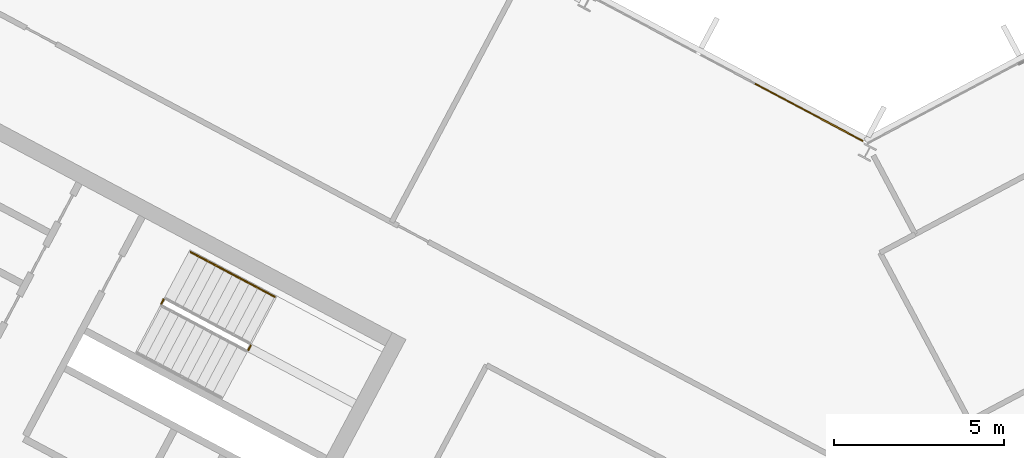
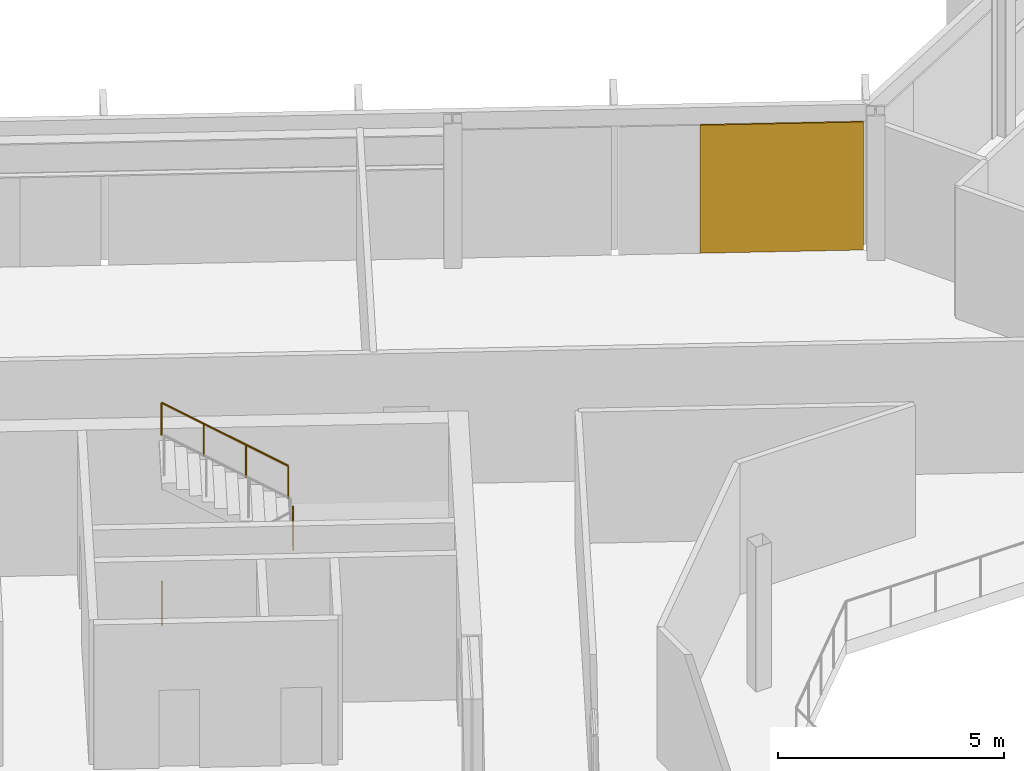
# One storey, part 23 of 26: 3 railings, 1 covering, 1 element without a shape of its own.
"""IFC4 building model written with IfcOpenShell, lengths in metres."""

from ifc_helpers import new_model, si_unit, direction, frame, origin, origin_2d, place, context, subcontext, project, spatial, polyline, rectangle, outline, extrude, material, layer, layer_set, type_object, element, aggregate, save


model = new_model("IFC4")

# Units and contexts
model_context = context("Model", 3, precision=1e-05, world=origin(), true_north=direction((0.0, 1.0)))
body_context = subcontext(model_context, "Body", "Model", "MODEL_VIEW")
ifc_project = project(units=[si_unit("LENGTHUNIT", "METRE"), si_unit("AREAUNIT", "SQUARE_METRE"), si_unit("VOLUMEUNIT", "CUBIC_METRE"), si_unit("PLANEANGLEUNIT", "RADIAN"), si_unit("MASSUNIT", "GRAM", prefix="KILO")], contexts=[model_context])

# Site, building, storey
site_placement = place(None, origin())
site = spatial("IfcSite", under=ifc_project, at=site_placement, CompositionType="ELEMENT")
building_placement = place(site_placement, origin())
building = spatial("IfcBuilding", under=site, at=building_placement, Name="Cormorant Relay Tower", CompositionType="ELEMENT")
storey_placement = place(building_placement, frame((0.0, 0.0, 304.800048828125)))
storey = spatial("IfcBuildingStorey", under=building, at=storey_placement, Name="L69", CompositionType="ELEMENT", Elevation=304.800048828125)

# Curtain wall, covering
ifc_material_1 = material(Name="Aluminium 6063-T6 anodised bronze", Category="aluminium")
ifc_layer_1 = layer(ifc_material_1, 0.199951171875)
ifc_layer_set_1 = layer_set([ifc_layer_1], Name="CW1 unitised bronze curtain wall with vertical fins")
curtain_wall_type = type_object("IfcCurtainWallType", Name="CW1 unitised bronze curtain wall with vertical fins", PredefinedType="NOTDEFINED", material=ifc_layer_set_1)
curtain_wall_placement = place(storey_placement, origin())
curtain_wall = element("IfcCurtainWall", 1, at=curtain_wall_placement, inside=storey, type_object=curtain_wall_type, Name="CW1 curtain wall 9", PredefinedType="NOTDEFINED")
ifc_material_2 = material(Name="Pale bronze anodised aluminium insulated panel", Category="aluminium")
ifc_layer_2 = layer(ifc_material_2, 0.0400390625)
ifc_layer_set_2 = layer_set([ifc_layer_2], Name="CW1 pale bronze insulated panel 40")
covering_type = type_object("IfcCoveringType", Name="CW1 pale bronze insulated panel 40", PredefinedType="CLADDING", material=ifc_layer_set_2)
covering_placement = place(storey_placement, frame((-1.718505859375, 24.720458984375, 0.0), z_axis=(0.0, 0.0, 1.0), x_axis=(-0.882947592859, 0.469471562786, 0.0)))
covering = element("IfcCovering", 2, at=covering_placement, type_object=covering_type, Name="CW1 panel S00", PredefinedType="CLADDING", context=body_context, shape_type="SweptSolid", body=[
    extrude(rectangle(XDim=3.614013671875, YDim=0.0400390625, at=origin_2d()), origin(), (0.0, 0.0, 1.0), 3.449951171875),
])
aggregate(curtain_wall, [covering])

# Railings
ifc_material_3 = material(Name="Steel ASTM A572 Grade 50 (Fy 345 MPa)", Category="steel")
railing_type_1 = type_object("IfcRailingType", Name="Stair guard 1100", PredefinedType="GUARDRAIL", material=ifc_material_3)
railing_1_placement = place(storey_placement, frame((-18.210693359375, 17.72412109375, 1.949951171875)))
element("IfcRailing", 3, at=railing_1_placement, inside=storey, type_object=railing_type_1, Name="L69 A1 stair guard 2", PredefinedType="GUARDRAIL", context=body_context, shape_type="SweptSolid", body=[
    extrude(outline(polyline([(0.022216796875, 0.00927734375), (0.00927734375, 0.022216796875), (-0.00927734375, 0.022216796875), (-0.022216796875, 0.00927734375), (-0.022216796875, -0.00927734375), (-0.00927734375, -0.022216796875), (0.00927734375, -0.022216796875), (0.022216796875, -0.00927734375), (0.022216796875, 0.00927734375)])), frame((0.0, 0.0, 1.076171875), z_axis=(0.470503732759, 0.882398003998, 0.0), x_axis=(-0.882398003998, 0.470503732759, 0.0)), (0.0, 0.0, 1.0), 0.14990234375),
    extrude(outline(polyline([(0.019287109375, 0.008056640625), (0.008056640625, 0.019287109375), (-0.008056640625, 0.019287109375), (-0.019287109375, 0.008056640625), (-0.019287109375, -0.008056640625), (-0.008056640625, -0.019287109375), (0.008056640625, -0.019287109375), (0.019287109375, -0.008056640625), (0.019287109375, 0.008056640625)])), origin(), (0.0, 0.0, 1.0), 1.052001953125),
    extrude(outline(polyline([(0.019287109375, 0.008056640625), (0.008056640625, 0.019287109375), (-0.008056640625, 0.019287109375), (-0.019287109375, 0.008056640625), (-0.019287109375, -0.008056640625), (-0.008056640625, -0.019287109375), (0.008056640625, -0.019287109375), (0.019287109375, -0.008056640625), (0.019287109375, 0.008056640625)])), frame((0.070556640625, 0.13232421875, 0.0)), (0.0, 0.0, 1.0), 1.052001953125),
])
railing_2_placement = place(storey_placement, frame((-20.771240234375, 19.08544921875, 0.0)))
element("IfcRailing", 4, at=railing_2_placement, inside=storey, type_object=railing_type_1, Name="L69 A1 stair guard 4", PredefinedType="GUARDRAIL", context=body_context, shape_type="SweptSolid", body=[
    extrude(outline(polyline([(0.022216796875, 0.00927734375), (0.00927734375, 0.022216796875), (-0.00927734375, 0.022216796875), (-0.022216796875, 0.00927734375), (-0.022216796875, -0.00927734375), (-0.00927734375, -0.022216796875), (0.00927734375, -0.022216796875), (0.022216796875, -0.00927734375), (0.022216796875, 0.00927734375)])), frame((0.0, 0.0, 1.076171875), z_axis=(0.469828648786, 0.882757634224, 0.0), x_axis=(-0.882757634224, 0.469828648786, 0.0)), (0.0, 0.0, 1.0), 0.150146484375),
    extrude(outline(polyline([(0.019287109375, 0.008056640625), (0.008056640625, 0.019287109375), (-0.008056640625, 0.019287109375), (-0.019287109375, 0.008056640625), (-0.019287109375, -0.008056640625), (-0.008056640625, -0.019287109375), (0.008056640625, -0.019287109375), (0.019287109375, -0.008056640625), (0.019287109375, 0.008056640625)])), origin(), (0.0, 0.0, 1.0), 1.052001953125),
    extrude(outline(polyline([(0.019287109375, 0.008056640625), (0.008056640625, 0.019287109375), (-0.008056640625, 0.019287109375), (-0.019287109375, 0.008056640625), (-0.019287109375, -0.008056640625), (-0.008056640625, -0.019287109375), (0.008056640625, -0.019287109375), (0.019287109375, -0.008056640625), (0.019287109375, 0.008056640625)])), frame((0.070556640625, 0.132568359375, 0.0)), (0.0, 0.0, 1.0), 1.052001953125),
])
ifc_material_4 = material(Name="Steel ASTM A572 Grade 50 (Fy 345 MPa)", Category="steel")
railing_type_2 = type_object("IfcRailingType", Name="Stair handrail 900", PredefinedType="HANDRAIL", material=ifc_material_4)
railing_3_placement = place(storey_placement, frame((-17.433349609375, 19.292724609375, 2.127197265625)))
element("IfcRailing", 5, at=railing_3_placement, inside=storey, type_object=railing_type_2, Name="L69 A1 stair handrail 2", PredefinedType="HANDRAIL", context=body_context, shape_type="SweptSolid", body=[
    extrude(outline(polyline([(0.022216796875, 0.00927734375), (0.00927734375, 0.022216796875), (-0.00927734375, 0.022216796875), (-0.022216796875, 0.00927734375), (-0.022216796875, -0.00927734375), (-0.00927734375, -0.022216796875), (0.00927734375, -0.022216796875), (0.022216796875, -0.00927734375), (0.022216796875, 0.00927734375)])), frame((0.0, 0.0, 0.8759765625), z_axis=(-0.746001213114, 0.396649272309, 0.534931345884), x_axis=(-0.469465464807, -0.882950835185, 0.0)), (0.0, 0.0, 1.0), 3.31396484375),
    extrude(outline(polyline([(0.019287109375, 0.008056640625), (0.008056640625, 0.019287109375), (-0.008056640625, 0.019287109375), (-0.019287109375, 0.008056640625), (-0.019287109375, -0.008056640625), (-0.008056640625, -0.019287109375), (0.008056640625, -0.019287109375), (0.019287109375, -0.008056640625), (0.019287109375, 0.008056640625)])), origin(), (0.0, 0.0, 1.0), 0.851806640625),
    extrude(outline(polyline([(0.019287109375, 0.008056640625), (0.008056640625, 0.019287109375), (-0.008056640625, 0.019287109375), (-0.019287109375, 0.008056640625), (-0.019287109375, -0.008056640625), (-0.008056640625, -0.019287109375), (0.008056640625, -0.019287109375), (0.019287109375, -0.008056640625), (0.019287109375, 0.008056640625)])), frame((-0.823974609375, 0.438232421875, 0.5908203125)), (0.0, 0.0, 1.0), 0.851806640625),
    extrude(outline(polyline([(0.019287109375, 0.008056640625), (0.008056640625, 0.019287109375), (-0.008056640625, 0.019287109375), (-0.019287109375, 0.008056640625), (-0.019287109375, -0.008056640625), (-0.008056640625, -0.019287109375), (0.008056640625, -0.019287109375), (0.019287109375, -0.008056640625), (0.019287109375, 0.008056640625)])), frame((-1.648193359375, 0.876220703125, 1.181884765625)), (0.0, 0.0, 1.0), 0.851806640625),
    extrude(outline(polyline([(0.019287109375, 0.008056640625), (0.008056640625, 0.019287109375), (-0.008056640625, 0.019287109375), (-0.019287109375, 0.008056640625), (-0.019287109375, -0.008056640625), (-0.008056640625, -0.019287109375), (0.008056640625, -0.019287109375), (0.019287109375, -0.008056640625), (0.019287109375, 0.008056640625)])), frame((-2.47216796875, 1.314453125, 1.772705078125)), (0.0, 0.0, 1.0), 0.851806640625),
])

save(model, "model.ifc")
